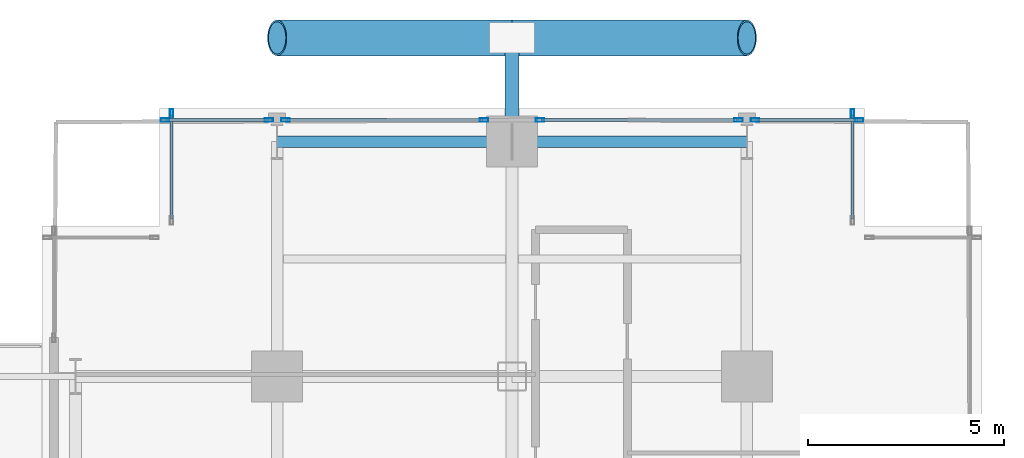
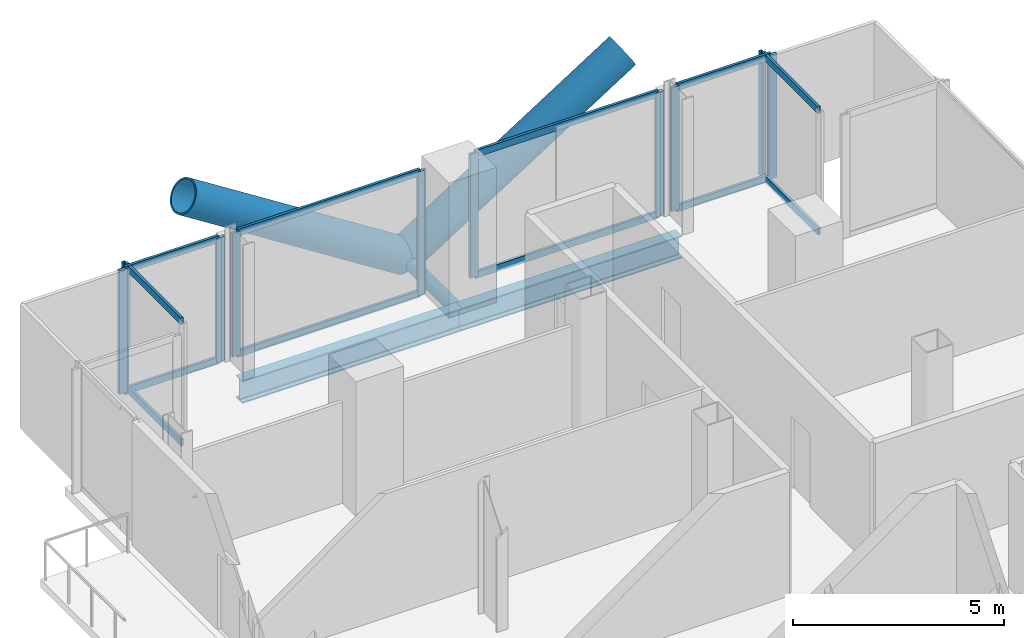
# One storey, part 16 of 27: 25 members, 2 beams, 6 elements without a shape of their own.
"""IFC4 building model written with IfcOpenShell, lengths in metres."""

from ifc_helpers import new_model, si_unit, direction, frame, origin, origin_2d, place, context, subcontext, project, spatial, hollow_rectangle, hollow_circle, i_section, extrude, material, layer, layer_set, material_profile, profile_set, type_object, element, aggregate, save


model = new_model("IFC4")

# Units and contexts
model_context = context("Model", 3, precision=1e-05, world=origin(), true_north=direction((0.0, 1.0)))
body_context = subcontext(model_context, "Body", "Model", "MODEL_VIEW")
ifc_project = project(units=[si_unit("LENGTHUNIT", "METRE"), si_unit("AREAUNIT", "SQUARE_METRE"), si_unit("VOLUMEUNIT", "CUBIC_METRE"), si_unit("PLANEANGLEUNIT", "RADIAN"), si_unit("MASSUNIT", "GRAM", prefix="KILO"), si_unit("THERMODYNAMICTEMPERATUREUNIT", "KELVIN"), si_unit("POWERUNIT", "WATT")], contexts=[model_context])

# Site, building, storey
site_placement = place(None, origin())
site = spatial("IfcSite", under=ifc_project, at=site_placement, CompositionType="ELEMENT")
building_placement = place(site_placement, origin())
building = spatial("IfcBuilding", under=site, at=building_placement, Name="Svarakhadi Broadcast Tower", CompositionType="ELEMENT")
storey_placement = place(building_placement, frame((0.0, 0.0, 90.89990234375)))
storey = spatial("IfcBuildingStorey", under=building, at=storey_placement, Name="L21", CompositionType="ELEMENT", Elevation=90.89990234375)

# Curtain wall, member
ifc_material_1 = material(Name="Anodised Bronze Aluminium AA 6063-T6", Category="aluminium")
ifc_layer = layer(ifc_material_1, 0.219970703125)
ifc_layer_set = layer_set([ifc_layer], Name="Anodised Bronze Aluminium AA 6063-T6")
curtain_wall_type = type_object("IfcCurtainWallType", Name="CW_Sys_02", PredefinedType="NOTDEFINED", material=ifc_layer_set)
curtain_wall_1_placement = place(storey_placement, origin())
curtain_wall_1 = element("IfcCurtainWall", 1, at=curtain_wall_1_placement, inside=storey, type_object=curtain_wall_type, Name="L21 Unitised Facade Curtain Wall 05", PredefinedType="NOTDEFINED")
ifc_material_profile_1 = material_profile(ifc_material_1, hollow_rectangle(XDim=0.0849609375, YDim=0.219970703125, WallThickness=0.006103515625, at=origin_2d()), Name="ALU MULLION 220x85x6")
ifc_profile_set_1 = profile_set([ifc_material_profile_1], Name="Anodised Bronze Aluminium AA 6063-T6")
member_type_1 = type_object("IfcMemberType", Name="CW_Sys_02_Mul", PredefinedType="MULLION", material=ifc_profile_set_1)
member_1_placement = place(storey_placement, frame((3.300048828125, 47.867431640625, 0.0), z_axis=(0.0, 0.0, 1.0), x_axis=(-1.0, 0.0, 0.0)))
member_1 = element("IfcMember", 2, at=member_1_placement, type_object=member_type_1, Name="CW-02 mullion 2", PredefinedType="MULLION", context=body_context, shape_type="SweptSolid", body=[
    extrude(hollow_rectangle(XDim=0.0849609375, YDim=0.219970703125, WallThickness=0.006103515625, at=origin_2d()), origin(), (0.0, 0.0, 1.0), 3.5751953125),
])

# Curtain wall, members
curtain_wall_2_placement = place(storey_placement, origin())
curtain_wall_2 = element("IfcCurtainWall", 3, at=curtain_wall_2_placement, inside=storey, type_object=curtain_wall_type, Name="L21 Unitised Facade Curtain Wall 06 Bay 1", PredefinedType="NOTDEFINED")
member_2_placement = place(storey_placement, frame((3.132568359375, 47.699951171875, 0.0), z_axis=(0.0, 0.0, 1.0), x_axis=(0.0, 1.0, 0.0)))
member_2 = element("IfcMember", 4, at=member_2_placement, type_object=member_type_1, Name="CW-02 mullion 1", PredefinedType="MULLION", context=body_context, shape_type="SweptSolid", body=[
    extrude(hollow_rectangle(XDim=0.0849609375, YDim=0.219970703125, WallThickness=0.006103515625, at=origin_2d()), origin(), (0.0, 0.0, 1.0), 3.5751953125),
])
member_3_placement = place(storey_placement, frame((5.78759765625, 47.699951171875, 0.0), z_axis=(0.0, 0.0, 1.0), x_axis=(0.0, 1.0, 0.0)))
member_3 = element("IfcMember", 5, at=member_3_placement, type_object=member_type_1, Name="CW-02 mullion 2", PredefinedType="MULLION", context=body_context, shape_type="SweptSolid", body=[
    extrude(hollow_rectangle(XDim=0.0849609375, YDim=0.219970703125, WallThickness=0.006103515625, at=origin_2d()), origin(), (0.0, 0.0, 1.0), 3.5751953125),
])

curtain_wall_3_placement = place(storey_placement, origin())
curtain_wall_3 = element("IfcCurtainWall", 6, at=curtain_wall_3_placement, inside=storey, type_object=curtain_wall_type, Name="L21 Unitised Facade Curtain Wall 06 Bay 2", PredefinedType="NOTDEFINED")
member_4_placement = place(storey_placement, frame((6.21240234375, 47.699951171875, 0.0), z_axis=(0.0, 0.0, 1.0), x_axis=(0.0, 1.0, 0.0)))
member_4 = element("IfcMember", 7, at=member_4_placement, type_object=member_type_1, Name="CW-02 mullion 1", PredefinedType="MULLION", context=body_context, shape_type="SweptSolid", body=[
    extrude(hollow_rectangle(XDim=0.0849609375, YDim=0.219970703125, WallThickness=0.006103515625, at=origin_2d()), origin(), (0.0, 0.0, 1.0), 3.5751953125),
])
member_5_placement = place(storey_placement, frame((11.28759765625, 47.699951171875, 0.0), z_axis=(0.0, 0.0, 1.0), x_axis=(0.0, 1.0, 0.0)))
member_5 = element("IfcMember", 8, at=member_5_placement, type_object=member_type_1, Name="CW-02 mullion 2", PredefinedType="MULLION", context=body_context, shape_type="SweptSolid", body=[
    extrude(hollow_rectangle(XDim=0.0849609375, YDim=0.219970703125, WallThickness=0.006103515625, at=origin_2d()), origin(), (0.0, 0.0, 1.0), 3.5751953125),
])

curtain_wall_4_placement = place(storey_placement, origin())
curtain_wall_4 = element("IfcCurtainWall", 9, at=curtain_wall_4_placement, inside=storey, type_object=curtain_wall_type, Name="L21 Unitised Facade Curtain Wall 06 Bay 3", PredefinedType="NOTDEFINED")
member_6_placement = place(storey_placement, frame((12.71240234375, 47.699951171875, 0.0), z_axis=(0.0, 0.0, 1.0), x_axis=(0.0, 1.0, 0.0)))
member_6 = element("IfcMember", 10, at=member_6_placement, type_object=member_type_1, Name="CW-02 mullion 1", PredefinedType="MULLION", context=body_context, shape_type="SweptSolid", body=[
    extrude(hollow_rectangle(XDim=0.0849609375, YDim=0.219970703125, WallThickness=0.006103515625, at=origin_2d()), origin(), (0.0, 0.0, 1.0), 3.5751953125),
])
member_7_placement = place(storey_placement, frame((17.78759765625, 47.699951171875, 0.0), z_axis=(0.0, 0.0, 1.0), x_axis=(0.0, 1.0, 0.0)))
member_7 = element("IfcMember", 11, at=member_7_placement, type_object=member_type_1, Name="CW-02 mullion 2", PredefinedType="MULLION", context=body_context, shape_type="SweptSolid", body=[
    extrude(hollow_rectangle(XDim=0.0849609375, YDim=0.219970703125, WallThickness=0.006103515625, at=origin_2d()), origin(), (0.0, 0.0, 1.0), 3.5751953125),
])

curtain_wall_5_placement = place(storey_placement, origin())
curtain_wall_5 = element("IfcCurtainWall", 12, at=curtain_wall_5_placement, inside=storey, type_object=curtain_wall_type, Name="L21 Unitised Facade Curtain Wall 06 Bay 4", PredefinedType="NOTDEFINED")
member_8_placement = place(storey_placement, frame((18.21240234375, 47.699951171875, 0.0), z_axis=(0.0, 0.0, 1.0), x_axis=(0.0, 1.0, 0.0)))
member_8 = element("IfcMember", 13, at=member_8_placement, type_object=member_type_1, Name="CW-02 mullion 1", PredefinedType="MULLION", context=body_context, shape_type="SweptSolid", body=[
    extrude(hollow_rectangle(XDim=0.0849609375, YDim=0.219970703125, WallThickness=0.006103515625, at=origin_2d()), origin(), (0.0, 0.0, 1.0), 3.5751953125),
])
member_9_placement = place(storey_placement, frame((20.867431640625, 47.699951171875, 0.0), z_axis=(0.0, 0.0, 1.0), x_axis=(0.0, 1.0, 0.0)))
member_9 = element("IfcMember", 14, at=member_9_placement, type_object=member_type_1, Name="CW-02 mullion 2", PredefinedType="MULLION", context=body_context, shape_type="SweptSolid", body=[
    extrude(hollow_rectangle(XDim=0.0849609375, YDim=0.219970703125, WallThickness=0.006103515625, at=origin_2d()), origin(), (0.0, 0.0, 1.0), 3.5751953125),
])

# Curtain wall, member
curtain_wall_6_placement = place(storey_placement, origin())
curtain_wall_6 = element("IfcCurtainWall", 15, at=curtain_wall_6_placement, inside=storey, type_object=curtain_wall_type, Name="L21 Unitised Facade Curtain Wall 07", PredefinedType="NOTDEFINED")
member_10_placement = place(storey_placement, frame((20.699951171875, 47.867431640625, 0.0), z_axis=(0.0, 0.0, 1.0), x_axis=(1.0, 0.0, 0.0)))
member_10 = element("IfcMember", 16, at=member_10_placement, type_object=member_type_1, Name="CW-02 mullion 1", PredefinedType="MULLION", context=body_context, shape_type="SweptSolid", body=[
    extrude(hollow_rectangle(XDim=0.0849609375, YDim=0.219970703125, WallThickness=0.006103515625, at=origin_2d()), origin(), (0.0, 0.0, 1.0), 3.5751953125),
])

# Member
ifc_material_profile_2 = material_profile(ifc_material_1, hollow_rectangle(XDim=0.074951171875, YDim=0.199951171875, WallThickness=0.0048828125, at=origin_2d()), Name="ALU TRANSOM 200x75x5")
ifc_profile_set_2 = profile_set([ifc_material_profile_2], Name="Anodised Bronze Aluminium AA 6063-T6")
member_type_2 = type_object("IfcMemberType", Name="CW_Sys_02_Trn", PredefinedType="USERDEFINED", material=ifc_profile_set_2)
member_11_placement = place(storey_placement, frame((3.300048828125, 45.175048828125, 0.03759765625), z_axis=(0.0, 1.0, 0.0), x_axis=(-1.0, 0.0, 0.0)))
member_11 = element("IfcMember", 17, at=member_11_placement, type_object=member_type_2, Name="CW-02 transom 1.1", ObjectType="TRANSOM", PredefinedType="USERDEFINED", context=body_context, shape_type="SweptSolid", body=[
    extrude(hollow_rectangle(XDim=0.074951171875, YDim=0.199951171875, WallThickness=0.0048828125, at=origin_2d()), origin(), (0.0, 0.0, 1.0), 2.64990234375),
])

member_12_placement = place(storey_placement, frame((3.300048828125, 45.175048828125, 3.53759765625), z_axis=(0.0, 1.0, 0.0), x_axis=(-1.0, 0.0, 0.0)))
member_12 = element("IfcMember", 18, at=member_12_placement, type_object=member_type_2, Name="CW-02 transom 1.2", ObjectType="TRANSOM", PredefinedType="USERDEFINED", context=body_context, shape_type="SweptSolid", body=[
    extrude(hollow_rectangle(XDim=0.074951171875, YDim=0.199951171875, WallThickness=0.0048828125, at=origin_2d()), origin(), (0.0, 0.0, 1.0), 2.64990234375),
])

aggregate(curtain_wall_1, [member_1, member_11, member_12])

member_13_placement = place(storey_placement, frame((3.175048828125, 47.699951171875, 0.03759765625), z_axis=(1.0, 0.0, 0.0), x_axis=(0.0, 1.0, 0.0)))
member_13 = element("IfcMember", 19, at=member_13_placement, type_object=member_type_2, Name="CW-02 transom 1.1", ObjectType="TRANSOM", PredefinedType="USERDEFINED", context=body_context, shape_type="SweptSolid", body=[
    extrude(hollow_rectangle(XDim=0.074951171875, YDim=0.199951171875, WallThickness=0.0048828125, at=origin_2d()), origin(), (0.0, 0.0, 1.0), 2.570068359375),
])

member_14_placement = place(storey_placement, frame((3.175048828125, 47.699951171875, 3.53759765625), z_axis=(1.0, 0.0, 0.0), x_axis=(0.0, 1.0, 0.0)))
member_14 = element("IfcMember", 20, at=member_14_placement, type_object=member_type_2, Name="CW-02 transom 1.2", ObjectType="TRANSOM", PredefinedType="USERDEFINED", context=body_context, shape_type="SweptSolid", body=[
    extrude(hollow_rectangle(XDim=0.074951171875, YDim=0.199951171875, WallThickness=0.0048828125, at=origin_2d()), origin(), (0.0, 0.0, 1.0), 2.570068359375),
])

aggregate(curtain_wall_2, [member_2, member_3, member_13, member_14])

member_15_placement = place(storey_placement, frame((6.2548828125, 47.699951171875, 0.03759765625), z_axis=(1.0, 0.0, 0.0), x_axis=(0.0, 1.0, 0.0)))
member_15 = element("IfcMember", 21, at=member_15_placement, type_object=member_type_2, Name="CW-02 transom 1.1", ObjectType="TRANSOM", PredefinedType="USERDEFINED", context=body_context, shape_type="SweptSolid", body=[
    extrude(hollow_rectangle(XDim=0.074951171875, YDim=0.199951171875, WallThickness=0.0048828125, at=origin_2d()), origin(), (0.0, 0.0, 1.0), 4.990234375),
])

member_16_placement = place(storey_placement, frame((6.2548828125, 47.699951171875, 3.53759765625), z_axis=(1.0, 0.0, 0.0), x_axis=(0.0, 1.0, 0.0)))
member_16 = element("IfcMember", 22, at=member_16_placement, type_object=member_type_2, Name="CW-02 transom 1.2", ObjectType="TRANSOM", PredefinedType="USERDEFINED", context=body_context, shape_type="SweptSolid", body=[
    extrude(hollow_rectangle(XDim=0.074951171875, YDim=0.199951171875, WallThickness=0.0048828125, at=origin_2d()), origin(), (0.0, 0.0, 1.0), 4.990234375),
])

aggregate(curtain_wall_3, [member_4, member_5, member_15, member_16])

member_17_placement = place(storey_placement, frame((12.7548828125, 47.699951171875, 0.03759765625), z_axis=(1.0, 0.0, 0.0), x_axis=(0.0, 1.0, 0.0)))
member_17 = element("IfcMember", 23, at=member_17_placement, type_object=member_type_2, Name="CW-02 transom 1.1", ObjectType="TRANSOM", PredefinedType="USERDEFINED", context=body_context, shape_type="SweptSolid", body=[
    extrude(hollow_rectangle(XDim=0.074951171875, YDim=0.199951171875, WallThickness=0.0048828125, at=origin_2d()), origin(), (0.0, 0.0, 1.0), 4.990234375),
])

member_18_placement = place(storey_placement, frame((12.7548828125, 47.699951171875, 3.53759765625), z_axis=(1.0, 0.0, 0.0), x_axis=(0.0, 1.0, 0.0)))
member_18 = element("IfcMember", 24, at=member_18_placement, type_object=member_type_2, Name="CW-02 transom 1.2", ObjectType="TRANSOM", PredefinedType="USERDEFINED", context=body_context, shape_type="SweptSolid", body=[
    extrude(hollow_rectangle(XDim=0.074951171875, YDim=0.199951171875, WallThickness=0.0048828125, at=origin_2d()), origin(), (0.0, 0.0, 1.0), 4.990234375),
])

aggregate(curtain_wall_4, [member_6, member_7, member_17, member_18])

member_19_placement = place(storey_placement, frame((18.2548828125, 47.699951171875, 0.03759765625), z_axis=(1.0, 0.0, 0.0), x_axis=(0.0, 1.0, 0.0)))
member_19 = element("IfcMember", 25, at=member_19_placement, type_object=member_type_2, Name="CW-02 transom 1.1", ObjectType="TRANSOM", PredefinedType="USERDEFINED", context=body_context, shape_type="SweptSolid", body=[
    extrude(hollow_rectangle(XDim=0.074951171875, YDim=0.199951171875, WallThickness=0.0048828125, at=origin_2d()), origin(), (0.0, 0.0, 1.0), 2.570068359375),
])

member_20_placement = place(storey_placement, frame((18.2548828125, 47.699951171875, 3.53759765625), z_axis=(1.0, 0.0, 0.0), x_axis=(0.0, 1.0, 0.0)))
member_20 = element("IfcMember", 26, at=member_20_placement, type_object=member_type_2, Name="CW-02 transom 1.2", ObjectType="TRANSOM", PredefinedType="USERDEFINED", context=body_context, shape_type="SweptSolid", body=[
    extrude(hollow_rectangle(XDim=0.074951171875, YDim=0.199951171875, WallThickness=0.0048828125, at=origin_2d()), origin(), (0.0, 0.0, 1.0), 2.570068359375),
])

aggregate(curtain_wall_5, [member_8, member_9, member_19, member_20])

member_21_placement = place(storey_placement, frame((20.699951171875, 47.824951171875, 0.03759765625), z_axis=(0.0, -1.0, 0.0), x_axis=(1.0, 0.0, 0.0)))
member_21 = element("IfcMember", 27, at=member_21_placement, type_object=member_type_2, Name="CW-02 transom 1.1", ObjectType="TRANSOM", PredefinedType="USERDEFINED", context=body_context, shape_type="SweptSolid", body=[
    extrude(hollow_rectangle(XDim=0.074951171875, YDim=0.199951171875, WallThickness=0.0048828125, at=origin_2d()), origin(), (0.0, 0.0, 1.0), 2.64990234375),
])

member_22_placement = place(storey_placement, frame((20.699951171875, 47.824951171875, 3.53759765625), z_axis=(0.0, -1.0, 0.0), x_axis=(1.0, 0.0, 0.0)))
member_22 = element("IfcMember", 28, at=member_22_placement, type_object=member_type_2, Name="CW-02 transom 1.2", ObjectType="TRANSOM", PredefinedType="USERDEFINED", context=body_context, shape_type="SweptSolid", body=[
    extrude(hollow_rectangle(XDim=0.074951171875, YDim=0.199951171875, WallThickness=0.0048828125, at=origin_2d()), origin(), (0.0, 0.0, 1.0), 2.64990234375),
])

aggregate(curtain_wall_6, [member_10, member_21, member_22])

# Members
ifc_material_2 = material(Name="Steel S460ML (IS 2062 E450BR)", Category="steel")
ifc_material_profile_3 = material_profile(ifc_material_2, hollow_circle(Radius=0.45703125, WallThickness=0.044921875, at=origin_2d()), Name="CHS 914x45")
ifc_profile_set_3 = profile_set([ifc_material_profile_3], Name="Steel S460ML (IS 2062 E450BR)")
member_type_3 = type_object("IfcMemberType", Name="Exo_Brace_CHS914", PredefinedType="BRACE", material=ifc_profile_set_3)
for number, where, z_axis, x_axis, name in (
    (29, (12.0, 49.800048828125, -0.427734375), (-0.843230308573, 0.0, 0.53755245949), (0.0, -1.0, 0.0), "L21 Exposed Bronze Exoskeleton Diagonal N12"),
    (30, (12.0, 49.800048828125, -0.427734375), (0.843230308573, 0.0, 0.53755245949), (0.0, 1.0, 0.0), "L21 Exposed Bronze Exoskeleton Diagonal N13"),
):
    element("IfcMember", number, at=place(storey_placement, frame(where, z_axis=z_axis, x_axis=x_axis)), inside=storey, type_object=member_type_3, Name=name, PredefinedType="BRACE", context=body_context, shape_type="SweptSolid", body=[
        extrude(hollow_circle(Radius=0.45703125, WallThickness=0.044921875, at=origin_2d()), origin(), (0.0, 0.0, 1.0), 7.115478515625),
    ])
ifc_material_profile_4 = material_profile(ifc_material_2, hollow_circle(Radius=0.177734375, WallThickness=0.02001953125, at=origin_2d()), Name="CHS 355.6x20")
ifc_profile_set_4 = profile_set([ifc_material_profile_4], Name="Steel S460ML (IS 2062 E450BR)")
member_type_4 = type_object("IfcMemberType", Name="Exo_Radial_Strut_Z1", PredefinedType="STRUT", material=ifc_profile_set_4)
member_23_placement = place(storey_placement, frame((12.0, 49.800048828125, -0.427734375), z_axis=(0.0, -1.0, 0.0), x_axis=(1.0, 0.0, 0.0)))
element("IfcMember", 31, at=member_23_placement, inside=storey, type_object=member_type_4, Name="L21 Exoskeleton Radial Tie Strut N07", PredefinedType="STRUT", context=body_context, shape_type="SweptSolid", body=[
    extrude(hollow_circle(Radius=0.177734375, WallThickness=0.02001953125, at=origin_2d()), origin(), (0.0, 0.0, 1.0), 2.650146484375),
])

# Beams
ifc_material_3 = material(Name="Steel S355J2 (IS 2062 E350C)", Category="steel")
ifc_material_profile_5 = material_profile(ifc_material_3, i_section(OverallWidth=0.300048828125, OverallDepth=0.64990234375, WebThickness=0.01611328125, FlangeThickness=0.031005859375, FilletRadius=0.027099609375, at=origin_2d()), Name="WPB 650x300x225")
ifc_profile_set_5 = profile_set([ifc_material_profile_5], Name="Steel S355J2 (IS 2062 E350C)")
beam_type = type_object("IfcBeamType", Name="Girder_WPB650", PredefinedType="USERDEFINED", material=ifc_profile_set_5)
for number, where, z_axis, x_axis, name in (
    (32, (6.0, 47.14990234375, -0.574951171875), (1.0, 0.0, 0.0), (0.0, 1.0, 0.0), "L21 Primary E-W Girder G043"),
    (33, (12.0, 47.14990234375, -0.574951171875), (1.0, 0.0, 0.0), (0.0, 1.0, 0.0), "L21 Primary E-W Girder G044"),
):
    element("IfcBeam", number, at=place(storey_placement, frame(where, z_axis=z_axis, x_axis=x_axis)), inside=storey, type_object=beam_type, Name=name, ObjectType="GIRDER", PredefinedType="USERDEFINED", context=body_context, shape_type="SweptSolid", body=[
        extrude(i_section(OverallWidth=0.300048828125, OverallDepth=0.64990234375, WebThickness=0.01611328125, FlangeThickness=0.031005859375, FilletRadius=0.027099609375, at=origin_2d()), origin(), (0.0, 0.0, 1.0), 6.0),
    ])

save(model, "model.ifc")
